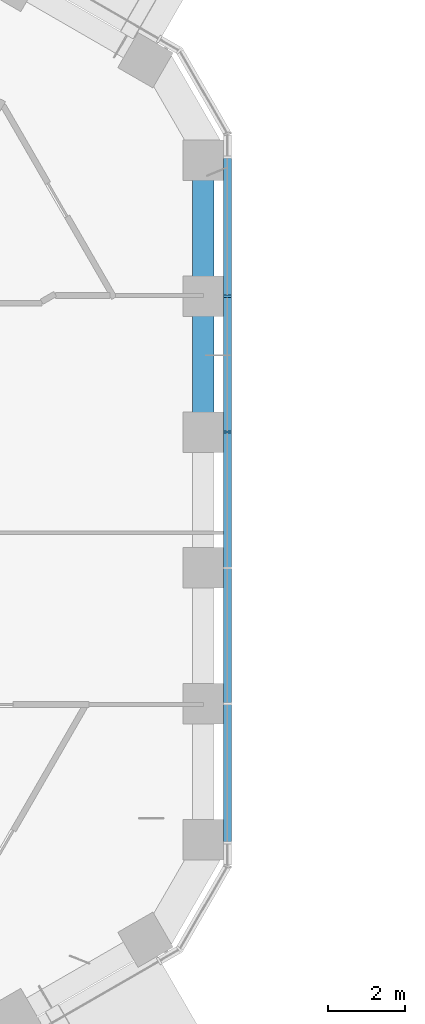
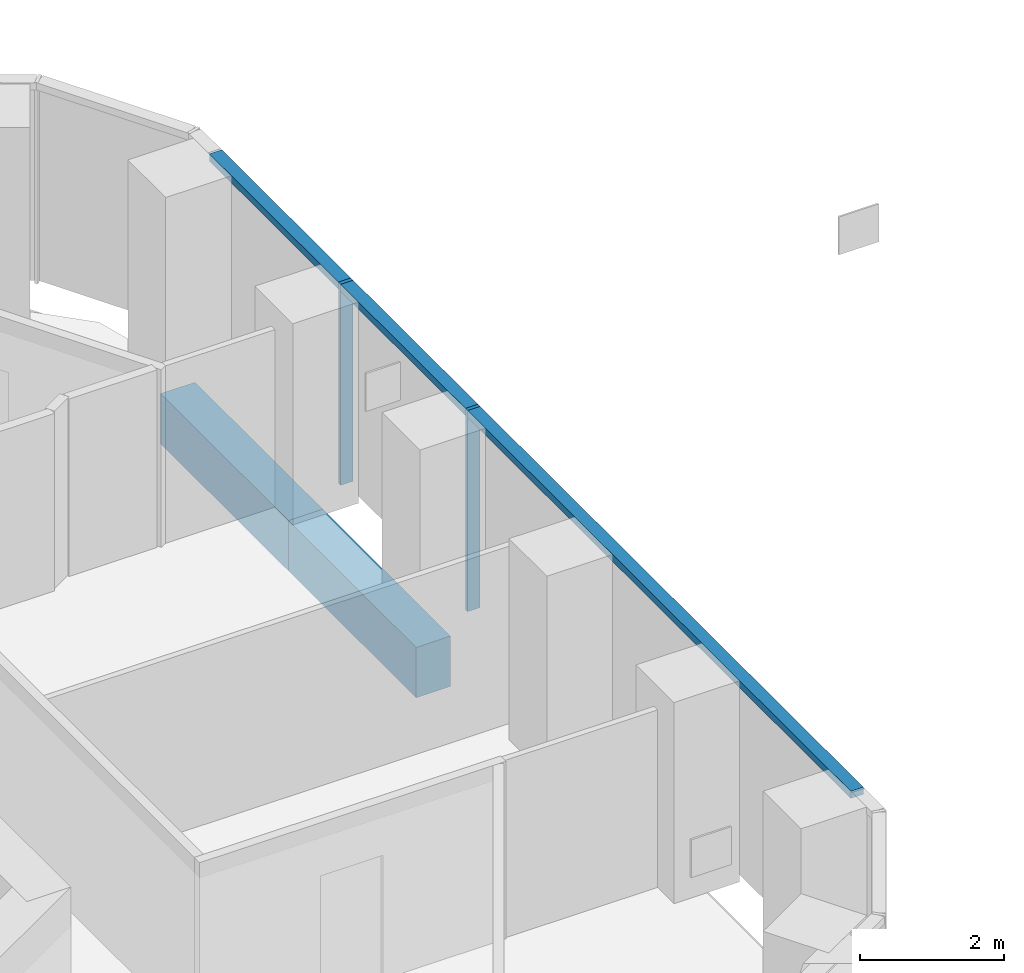
# One storey, part 5 of 21: 3 members, 2 beams, 1 element without a shape of its own.
"""IFC4 building model written with IfcOpenShell, lengths in metres."""

from ifc_helpers import new_model, si_unit, direction, frame, origin, origin_2d, place, context, subcontext, project, spatial, rectangle, extrude, material, layer, layer_set, material_profile, profile_set, type_object, element, aggregate, save


model = new_model("IFC4")

# Units and contexts
model_context = context("Model", 3, precision=1e-05, world=origin(), true_north=direction((0.0, 1.0)))
body_context = subcontext(model_context, "Body", "Model", "MODEL_VIEW")
ifc_project = project(units=[si_unit("LENGTHUNIT", "METRE"), si_unit("AREAUNIT", "SQUARE_METRE"), si_unit("VOLUMEUNIT", "CUBIC_METRE"), si_unit("PLANEANGLEUNIT", "RADIAN"), si_unit("MASSUNIT", "GRAM", prefix="KILO")], contexts=[model_context])

# Site, building, storey
site_placement = place(None, origin())
site = spatial("IfcSite", under=ifc_project, at=site_placement, CompositionType="ELEMENT")
building_placement = place(site_placement, origin())
building = spatial("IfcBuilding", under=site, at=building_placement, Name="Ayvan Gate Tower", CompositionType="ELEMENT")
storey_placement = place(building_placement, frame((0.0, 0.0, 117.10009765625)))
storey = spatial("IfcBuildingStorey", under=building, at=storey_placement, Name="L31", CompositionType="ELEMENT", Elevation=117.10009765625)

# Beams
ifc_material_1 = material(Name="Concrete C40/50", Category="concrete")
ifc_material_profile_1 = material_profile(ifc_material_1, rectangle(XDim=0.550048828125, YDim=0.85009765625, at=origin_2d()), Name="RC 550x850")
ifc_profile_set_1 = profile_set([ifc_material_profile_1], Name="Concrete C40/50")
beam_type = type_object("IfcBeamType", Name="Spandrel beam RC 550x850 C40/50", PredefinedType="BEAM", material=ifc_profile_set_1)
for number, where, z_axis, x_axis, name in (
    (1, (19.485595703125, 1.769775390625, -0.775146484375), (0.0, 1.0, 0.0), (-1.0, 0.0, 0.0), "SB-L31-4"),
    (2, (19.485595703125, 5.30908203125, -0.775146484375), (0.0, 1.0, 0.0), (-1.0, 0.0, 0.0), "SB-L31-5"),
):
    element("IfcBeam", number, at=place(storey_placement, frame(where, z_axis=z_axis, x_axis=x_axis)), inside=storey, type_object=beam_type, Name=name, PredefinedType="BEAM", context=body_context, shape_type="SweptSolid", body=[
        extrude(rectangle(XDim=0.550048828125, YDim=0.85009765625, at=origin_2d()), origin(), (0.0, 0.0, 1.0), 3.539306640625),
    ])

# Curtain wall, members
ifc_material_2 = material(Name="Bronze anodised aluminium", Category="aluminium")
ifc_layer = layer(ifc_material_2, 0.199951171875)
ifc_layer_set = layer_set([ifc_layer], Name="Bronze anodised aluminium")
curtain_wall_type = type_object("IfcCurtainWallType", Name="Stick curtain wall CW-1", PredefinedType="NOTDEFINED", material=ifc_layer_set)
curtain_wall_placement = place(storey_placement, origin())
curtain_wall = element("IfcCurtainWall", 3, at=curtain_wall_placement, inside=storey, type_object=curtain_wall_type, Name="Stick curtain wall CW-1 L31", PredefinedType="NOTDEFINED")
ifc_material_profile_2 = material_profile(ifc_material_2, rectangle(XDim=0.199951171875, YDim=0.06005859375, at=origin_2d()), Name="Stick curtain wall CW-1 mullion 200 x 60")
ifc_profile_set_2 = profile_set([ifc_material_profile_2], Name="Bronze anodised aluminium")
member_type_1 = type_object("IfcMemberType", Name="Stick curtain wall CW-1 mullion 200 x 60", PredefinedType="MULLION", material=ifc_profile_set_2)
member_1_placement = place(storey_placement, frame((20.110595703125, 1.760009765625, 0.0), z_axis=(0.0, 0.0, 1.0), x_axis=(1.0, 0.0, 0.0)))
member_1 = element("IfcMember", 4, at=member_1_placement, type_object=member_type_1, Name="CW-1 mullion 4", PredefinedType="MULLION", context=body_context, shape_type="SweptSolid", body=[
    extrude(rectangle(XDim=0.199951171875, YDim=0.06005859375, at=origin_2d()), origin(), (0.0, 0.0, 1.0), 3.39990234375),
])
member_2_placement = place(storey_placement, frame((20.110595703125, 5.279052734375, 0.0), z_axis=(0.0, 0.0, 1.0), x_axis=(1.0, 0.0, 0.0)))
member_2 = element("IfcMember", 5, at=member_2_placement, type_object=member_type_1, Name="CW-1 mullion 5", PredefinedType="MULLION", context=body_context, shape_type="SweptSolid", body=[
    extrude(rectangle(XDim=0.199951171875, YDim=0.06005859375, at=origin_2d()), origin(), (0.0, 0.0, 1.0), 3.39990234375),
])
ifc_material_profile_3 = material_profile(ifc_material_2, rectangle(XDim=0.199951171875, YDim=0.1201171875, at=origin_2d()), Name="Stick curtain wall CW-1 transom 200 x 120")
ifc_profile_set_3 = profile_set([ifc_material_profile_3], Name="Bronze anodised aluminium")
member_type_2 = type_object("IfcMemberType", Name="Stick curtain wall CW-1 transom 200 x 120", PredefinedType="USERDEFINED", material=ifc_profile_set_3)
member_3_placement = place(storey_placement, frame((20.110595703125, -8.885009765625, 3.33984375), z_axis=(0.0, 1.0, 0.0), x_axis=(-1.0, 0.0, 0.0)))
member_3 = element("IfcMember", 6, at=member_3_placement, type_object=member_type_2, Name="CW-1 transom 1", ObjectType="TRANSOM", PredefinedType="USERDEFINED", context=body_context, shape_type="SweptSolid", body=[
    extrude(rectangle(XDim=0.199951171875, YDim=0.1201171875, at=origin_2d()), origin(), (0.0, 0.0, 1.0), 17.77001953125),
])
aggregate(curtain_wall, [member_1, member_2, member_3])

save(model, "model.ifc")
